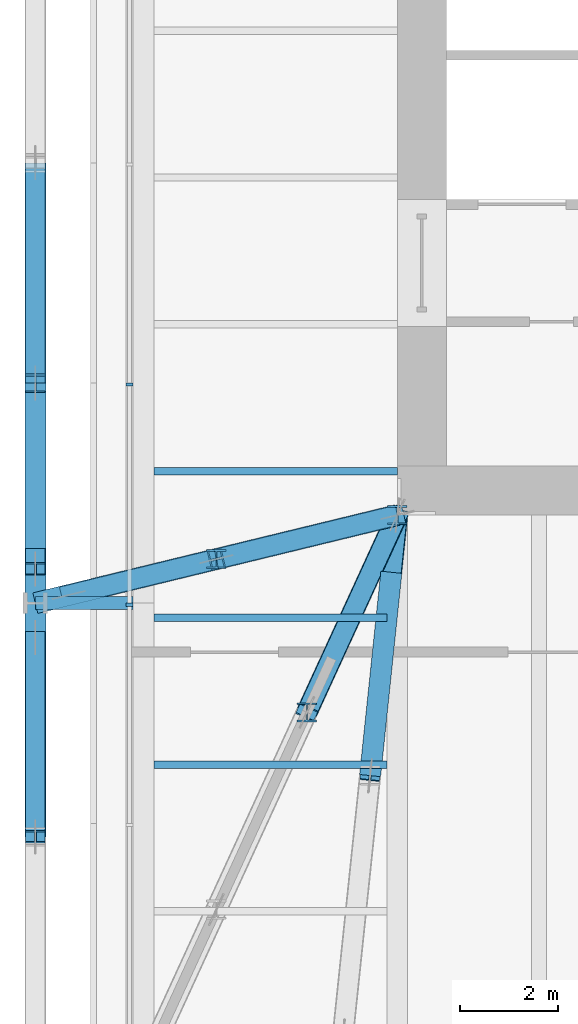
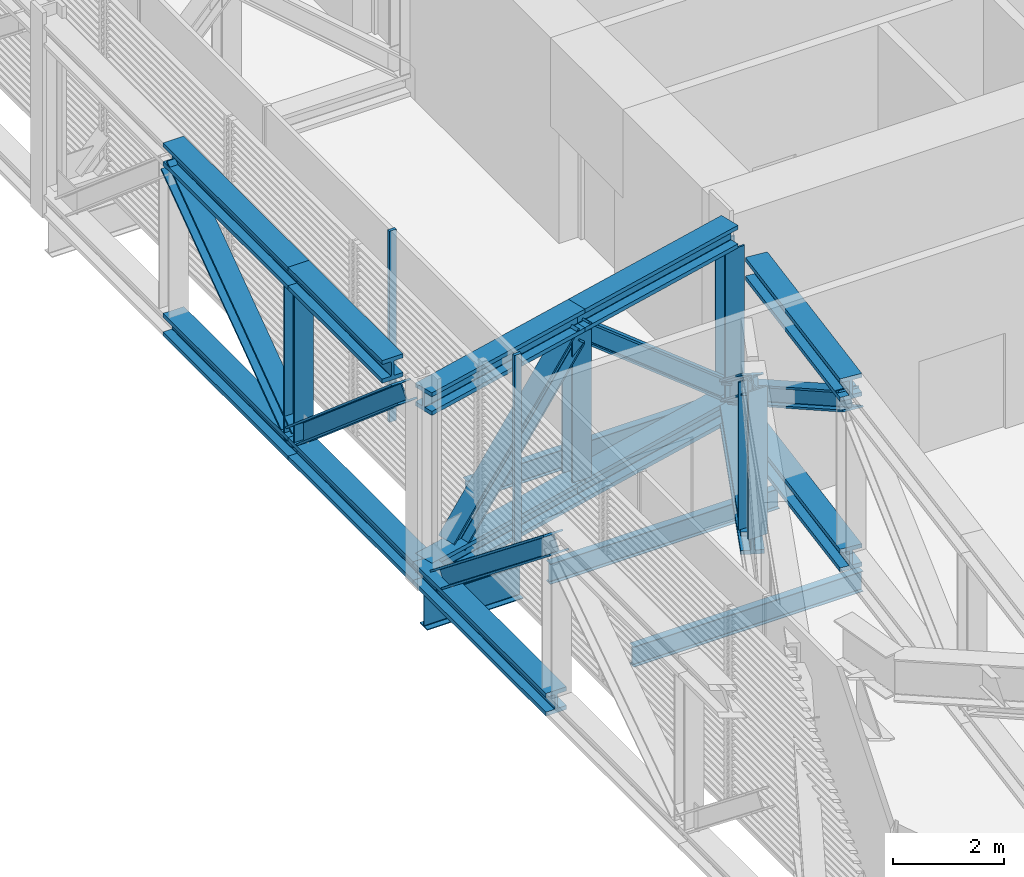
# One storey, part 6 of 31: 16 beams, 13 members, 1 element without a shape of its own.
"""IFC4 building model written with IfcOpenShell, lengths in metres."""

from ifc_helpers import new_model, si_unit, direction, frame, origin, origin_2d, place, context, subcontext, project, spatial, rectangle, i_section, extrude, material, layer, layer_set, material_profile, profile_set, type_object, element, aggregate, save


model = new_model("IFC4")

# Units and contexts
model_context = context("Model", 3, precision=1e-05, world=origin(), true_north=direction((0.0, 1.0)))
body_context = subcontext(model_context, "Body", "Model", "MODEL_VIEW")
ifc_project = project(units=[si_unit("LENGTHUNIT", "METRE"), si_unit("AREAUNIT", "SQUARE_METRE"), si_unit("VOLUMEUNIT", "CUBIC_METRE"), si_unit("PLANEANGLEUNIT", "RADIAN"), si_unit("MASSUNIT", "GRAM", prefix="KILO")], contexts=[model_context])

# Site, building, storey
site_placement = place(None, origin())
site = spatial("IfcSite", under=ifc_project, at=site_placement, CompositionType="ELEMENT")
building_placement = place(site_placement, origin())
building = spatial("IfcBuilding", under=site, at=building_placement, Name="Millrace Tower", CompositionType="ELEMENT")
storey_placement = place(building_placement, frame((0.0, 0.0, 120.39990234375)))
storey = spatial("IfcBuildingStorey", under=building, at=storey_placement, Name="L26", CompositionType="ELEMENT", Elevation=120.39990234375)

# Beams
ifc_material_1 = material(Name="Steel ASTM A992 Grade 50", Category="steel")
ifc_material_profile_1 = material_profile(ifc_material_1, i_section(OverallWidth=0.431884765625, OverallDepth=0.497802734375, WebThickness=0.0556640625, FlangeThickness=0.0888671875, FilletRadius=0.01513671875, at=origin_2d()))
ifc_profile_set_1 = profile_set([ifc_material_profile_1], Name="Steel ASTM A992 Grade 50")
beam_type_1 = type_object("IfcBeamType", Name="Belt truss chord W14x500", PredefinedType="BEAM", material=ifc_profile_set_1)
for number, where, z_axis, x_axis, name in (
    (1, (-22.300048828125, -2.699951171875, 0.2490234375), (0.0, -1.0, 0.0), (1.0, 0.0, 0.0), "BLT-L26-R15-B02"),
    (2, (-22.300048828125, -2.699951171875, 3.9912109375), (0.0, -1.0, 0.0), (1.0, 0.0, 0.0), "BLT-L26-R15-T02"),
    (3, (-22.300048828125, -7.199951171875, 0.2490234375), (0.0, -1.0, 0.0), (1.0, 0.0, 0.0), "BLT-L26-R15-B03"),
):
    element("IfcBeam", number, at=place(storey_placement, frame(where, z_axis=z_axis, x_axis=x_axis)), inside=storey, type_object=beam_type_1, Name=name, PredefinedType="BEAM", context=body_context, shape_type="SweptSolid", body=[
        extrude(i_section(OverallWidth=0.431884765625, OverallDepth=0.497802734375, WebThickness=0.0556640625, FlangeThickness=0.0888671875, FilletRadius=0.01513671875, at=origin_2d()), origin(), (0.0, 0.0, 1.0), 4.5),
    ])
beam_1_placement = place(storey_placement, frame((-22.300048828125, -11.699951171875, 0.2490234375), z_axis=(0.0, -1.0, 0.0), x_axis=(1.0, 0.0, 0.0)))
element("IfcBeam", 4, at=beam_1_placement, inside=storey, type_object=beam_type_1, Name="BLT-L26-R16-B01", PredefinedType="BEAM", context=body_context, shape_type="SweptSolid", body=[
    extrude(i_section(OverallWidth=0.431884765625, OverallDepth=0.497802734375, WebThickness=0.0556640625, FlangeThickness=0.0888671875, FilletRadius=0.01513671875, at=origin_2d()), origin(), (0.0, 0.0, 1.0), 4.776123046875),
])
beam_2_placement = place(storey_placement, frame((-22.300048828125, -7.199951171875, 3.9912109375), z_axis=(0.0, -1.0, 0.0), x_axis=(1.0, 0.0, 0.0)))
element("IfcBeam", 5, at=beam_2_placement, inside=storey, type_object=beam_type_1, Name="BLT-L26-R15-T03", PredefinedType="BEAM", context=body_context, shape_type="SweptSolid", body=[
    extrude(i_section(OverallWidth=0.431884765625, OverallDepth=0.497802734375, WebThickness=0.0556640625, FlangeThickness=0.0888671875, FilletRadius=0.01513671875, at=origin_2d()), origin(), (0.0, 0.0, 1.0), 3.385498046875),
])

# Members
ifc_material_2 = material(Name="Steel ASTM A992 Grade 50", Category="steel")
ifc_material_profile_2 = material_profile(ifc_material_2, i_section(OverallWidth=0.4013671875, OverallDepth=0.398681640625, WebThickness=0.02490234375, FlangeThickness=0.03955078125, FilletRadius=0.01513671875, at=origin_2d()))
ifc_profile_set_2 = profile_set([ifc_material_profile_2], Name="Steel ASTM A992 Grade 50")
member_type_1 = type_object("IfcMemberType", Name="Belt truss diagonal W14x211", PredefinedType="BRACE", material=ifc_profile_set_2)
member_1_placement = place(storey_placement, frame((-22.300048828125, -7.199951171875, 0.498046875), z_axis=(0.0, 0.811180262828, 0.584796187742), x_axis=(-1.0, 0.0, 0.0)))
element("IfcMember", 6, at=member_1_placement, inside=storey, type_object=member_type_1, Name="BLT-L26-R15-D02", PredefinedType="BRACE", context=body_context, shape_type="SweptSolid", body=[
    extrude(i_section(OverallWidth=0.4013671875, OverallDepth=0.398681640625, WebThickness=0.02490234375, FlangeThickness=0.03955078125, FilletRadius=0.01513671875, at=origin_2d()), origin(), (0.0, 0.0, 1.0), 5.54736328125),
])
member_2_placement = place(storey_placement, frame((-22.300048828125, -7.199951171875, 0.498046875), z_axis=(0.0, -0.760545081281, 0.649285129461), x_axis=(1.0, 0.0, 0.0)))
element("IfcMember", 7, at=member_2_placement, inside=storey, type_object=member_type_1, Name="BLT-L26-R15-D03", PredefinedType="BRACE", context=body_context, shape_type="SweptSolid", body=[
    extrude(i_section(OverallWidth=0.4013671875, OverallDepth=0.398681640625, WebThickness=0.02490234375, FlangeThickness=0.03955078125, FilletRadius=0.01513671875, at=origin_2d()), origin(), (0.0, 0.0, 1.0), 4.99658203125),
])
member_3_placement = place(storey_placement, frame((-22.300048828125, -12.39990234375, 0.498046875), z_axis=(0.0, -0.782439131655, 0.62272707124), x_axis=(1.0, 0.0, 0.0)))
element("IfcMember", 8, at=member_3_placement, inside=storey, type_object=member_type_1, Name="BLT-L26-R16-D01", PredefinedType="BRACE", context=body_context, shape_type="SweptSolid", body=[
    extrude(i_section(OverallWidth=0.4013671875, OverallDepth=0.398681640625, WebThickness=0.02490234375, FlangeThickness=0.03955078125, FilletRadius=0.01513671875, at=origin_2d()), origin(), (0.0, 0.0, 1.0), 5.20947265625),
])
ifc_material_3 = material(Name="Steel ASTM A992 Grade 50", Category="steel")
ifc_material_profile_3 = material_profile(ifc_material_3, i_section(OverallWidth=0.398681640625, OverallDepth=0.385986328125, WebThickness=0.02099609375, FlangeThickness=0.033203125, FilletRadius=0.01513671875, at=origin_2d()))
ifc_profile_set_3 = profile_set([ifc_material_profile_3], Name="Steel ASTM A992 Grade 50")
member_type_2 = type_object("IfcMemberType", Name="Belt truss post W14x176", PredefinedType="POST", material=ifc_profile_set_3)
member_4_placement = place(storey_placement, frame((-22.300048828125, -7.199951171875, 0.498046875), z_axis=(0.0, 0.0, 1.0), x_axis=(1.0, 0.0, 0.0)))
element("IfcMember", 9, at=member_4_placement, inside=storey, type_object=member_type_2, Name="BLT-L26-R15-V02", PredefinedType="POST", context=body_context, shape_type="SweptSolid", body=[
    extrude(i_section(OverallWidth=0.398681640625, OverallDepth=0.385986328125, WebThickness=0.02099609375, FlangeThickness=0.033203125, FilletRadius=0.01513671875, at=origin_2d()), origin(), (0.0, 0.0, 1.0), 3.244140625),
])

# Curtain wall, members
ifc_material_4 = material(Name="Aluminium and glass", Category="aluminium")
ifc_layer = layer(ifc_material_4, 0.14990234375)
ifc_layer_set = layer_set([ifc_layer], Name="Aluminium and glass")
curtain_wall_type = type_object("IfcCurtainWallType", Name="CW-5 truss and plant storey louvred infill", PredefinedType="NOTDEFINED", material=ifc_layer_set)
curtain_wall_placement = place(storey_placement, origin())
curtain_wall = element("IfcCurtainWall", 10, at=curtain_wall_placement, inside=storey, type_object=curtain_wall_type, Name="Curtain wall B-F08 L26", PredefinedType="NOTDEFINED")
ifc_material_5 = material(Name="Aluminium", Category="aluminium")
ifc_material_profile_4 = material_profile(ifc_material_5, rectangle(XDim=0.06494140625, YDim=0.14990234375, at=origin_2d()))
ifc_profile_set_4 = profile_set([ifc_material_profile_4], Name="Aluminium")
member_type_3 = type_object("IfcMemberType", Name="CW-5 truss and plant storey louvred infill mullion", PredefinedType="MULLION", material=ifc_profile_set_4)
member_5_placement = place(storey_placement, frame((-20.375, -7.232421875, 0.14013671875), z_axis=(0.0, 0.0, 1.0), x_axis=(0.0, -1.0, 0.0)))
member_5 = element("IfcMember", 11, at=member_5_placement, type_object=member_type_3, Name="CW5 mullion B-F08.6", PredefinedType="MULLION", context=body_context, shape_type="SweptSolid", body=[
    extrude(rectangle(XDim=0.06494140625, YDim=0.14990234375, at=origin_2d()), origin(), (0.0, 0.0, 1.0), 4.199951171875),
])
member_6_placement = place(storey_placement, frame((-20.375, -11.732421875, 0.14013671875), z_axis=(0.0, 0.0, 1.0), x_axis=(0.0, -1.0, 0.0)))
member_6 = element("IfcMember", 12, at=member_6_placement, type_object=member_type_3, Name="CW5 mullion B-F08.7", PredefinedType="MULLION", context=body_context, shape_type="SweptSolid", body=[
    extrude(rectangle(XDim=0.06494140625, YDim=0.14990234375, at=origin_2d()), origin(), (0.0, 0.0, 1.0), 4.199951171875),
])
aggregate(curtain_wall, [member_5, member_6])

# Beams
ifc_material_6 = material(Name="Steel ASTM A992 Grade 50", Category="steel")
ifc_material_profile_5 = material_profile(ifc_material_6, i_section(OverallWidth=0.15234375, OverallDepth=0.449462890625, WebThickness=0.007568359375, FlangeThickness=0.0107421875, FilletRadius=0.01025390625, at=origin_2d()))
ifc_profile_set_5 = profile_set([ifc_material_profile_5], Name="Steel ASTM A992 Grade 50")
beam_type_2 = type_object("IfcBeamType", Name="Floor beam W18x35", PredefinedType="JOIST", material=ifc_profile_set_5)
for number, where, z_axis, x_axis, name in (
    (13, (-19.87841796875, -15.0, -0.474609375), (1.0, 0.0, 0.0), (0.0, 1.0, 0.0), "BM-B-L26-S1-S009"),
    (14, (-19.87841796875, -12.0, -0.474609375), (1.0, 0.0, 0.0), (0.0, 1.0, 0.0), "BM-B-L26-S1-S011"),
):
    element("IfcBeam", number, at=place(storey_placement, frame(where, z_axis=z_axis, x_axis=x_axis)), inside=storey, type_object=beam_type_2, Name=name, PredefinedType="JOIST", context=body_context, shape_type="SweptSolid", body=[
        extrude(i_section(OverallWidth=0.15234375, OverallDepth=0.449462890625, WebThickness=0.007568359375, FlangeThickness=0.0107421875, FilletRadius=0.01025390625, at=origin_2d()), origin(), (0.0, 0.0, 1.0), 4.766357421875),
    ])
beam_3_placement = place(storey_placement, frame((-19.87841796875, -9.0, -0.474609375), z_axis=(1.0, 0.0, 0.0), x_axis=(0.0, 1.0, 0.0)))
element("IfcBeam", 15, at=beam_3_placement, inside=storey, type_object=beam_type_2, Name="BM-B-L26-S1-S014", PredefinedType="JOIST", context=body_context, shape_type="SweptSolid", body=[
    extrude(i_section(OverallWidth=0.15234375, OverallDepth=0.449462890625, WebThickness=0.007568359375, FlangeThickness=0.0107421875, FilletRadius=0.01025390625, at=origin_2d()), origin(), (0.0, 0.0, 1.0), 4.978515625),
])
ifc_material_7 = material(Name="Steel ASTM A992 Grade 50", Category="steel")
ifc_material_profile_6 = material_profile(ifc_material_7, i_section(OverallWidth=0.2666015625, OverallDepth=0.7568359375, WebThickness=0.013916015625, FlangeThickness=0.019287109375, FilletRadius=0.0166015625, at=origin_2d()))
ifc_profile_set_6 = profile_set([ifc_material_profile_6], Name="Steel ASTM A992 Grade 50")
beam_type_3 = type_object("IfcBeamType", Name="Link beam W30x108", PredefinedType="BEAM", material=ifc_profile_set_6)
beam_4_placement = place(storey_placement, frame((-20.300048828125, -11.699951171875, -0.62841796875), z_axis=(-1.0, 0.0, 0.0), x_axis=(0.0, -1.0, 0.0)))
element("IfcBeam", 16, at=beam_4_placement, inside=storey, type_object=beam_type_3, Name="LNK-B-L26-S1-02", PredefinedType="BEAM", context=body_context, shape_type="SweptSolid", body=[
    extrude(i_section(OverallWidth=0.2666015625, OverallDepth=0.7568359375, WebThickness=0.013916015625, FlangeThickness=0.019287109375, FilletRadius=0.0166015625, at=origin_2d()), origin(), (0.0, 0.0, 1.0), 2.0),
])
ifc_material_8 = material(Name="Steel ASTM A992 Grade 50", Category="steel")
ifc_material_profile_7 = material_profile(ifc_material_8, i_section(OverallWidth=0.431884765625, OverallDepth=0.497802734375, WebThickness=0.0556640625, FlangeThickness=0.0888671875, FilletRadius=0.01513671875, at=origin_2d()))
ifc_profile_set_7 = profile_set([ifc_material_profile_7], Name="Steel ASTM A992 Grade 50")
beam_type_4 = type_object("IfcBeamType", Name="Outrigger truss chord W14x500", PredefinedType="BEAM", material=ifc_profile_set_7)
beam_5_placement = place(storey_placement, frame((-14.89990234375, -9.89990234375, 0.2490234375), z_axis=(-0.417026076787, -0.908894521537, 0.0), x_axis=(0.908894521537, -0.417026076787, 0.0)))
element("IfcBeam", 17, at=beam_5_placement, inside=storey, type_object=beam_type_4, Name="BLT-L26-O01-B01", PredefinedType="BEAM", context=body_context, shape_type="SweptSolid", body=[
    extrude(i_section(OverallWidth=0.431884765625, OverallDepth=0.497802734375, WebThickness=0.0556640625, FlangeThickness=0.0888671875, FilletRadius=0.01513671875, at=origin_2d()), origin(), (0.0, 0.0, 1.0), 4.4365234375),
])
beam_6_placement = place(storey_placement, frame((-14.89990234375, -9.89990234375, 0.2490234375), z_axis=(-0.104053394811, -0.994571712361, 0.0), x_axis=(0.994571712361, -0.104053394811, 0.0)))
element("IfcBeam", 18, at=beam_6_placement, inside=storey, type_object=beam_type_4, Name="BLT-L26-O02-B01", PredefinedType="BEAM", context=body_context, shape_type="SweptSolid", body=[
    extrude(i_section(OverallWidth=0.431884765625, OverallDepth=0.497802734375, WebThickness=0.0556640625, FlangeThickness=0.0888671875, FilletRadius=0.01513671875, at=origin_2d()), origin(), (0.0, 0.0, 1.0), 5.354248046875),
])
for number, where, z_axis, x_axis, name in (
    (19, (-14.89990234375, -9.89990234375, 0.2490234375), (-0.971661633926, -0.236376117992, 0.0), (0.236376117992, -0.971661633926, 0.0), "BLT-L26-O16-B01"),
    (20, (-14.89990234375, -9.89990234375, 3.9912109375), (-0.971661633926, -0.236376117992, 0.0), (0.236376117992, -0.971661633926, 0.0), "BLT-L26-O16-T01"),
):
    element("IfcBeam", number, at=place(storey_placement, frame(where, z_axis=z_axis, x_axis=x_axis)), inside=storey, type_object=beam_type_4, Name=name, PredefinedType="BEAM", context=body_context, shape_type="SweptSolid", body=[
        extrude(i_section(OverallWidth=0.431884765625, OverallDepth=0.497802734375, WebThickness=0.0556640625, FlangeThickness=0.0888671875, FilletRadius=0.01513671875, at=origin_2d()), origin(), (0.0, 0.0, 1.0), 3.80810546875),
    ])
for number, where, z_axis, x_axis, name in (
    (21, (-18.60009765625, -10.800048828125, 0.2490234375), (-0.971672776399, -0.23633031038, 0.0), (0.23633031038, -0.971672776399, 0.0), "BLT-L26-O16-B02"),
    (22, (-18.60009765625, -10.800048828125, 3.9912109375), (-0.971672776399, -0.23633031038, 0.0), (0.23633031038, -0.971672776399, 0.0), "BLT-L26-O16-T02"),
):
    element("IfcBeam", number, at=place(storey_placement, frame(where, z_axis=z_axis, x_axis=x_axis)), inside=storey, type_object=beam_type_4, Name=name, PredefinedType="BEAM", context=body_context, shape_type="SweptSolid", body=[
        extrude(i_section(OverallWidth=0.431884765625, OverallDepth=0.497802734375, WebThickness=0.0556640625, FlangeThickness=0.0888671875, FilletRadius=0.01513671875, at=origin_2d()), origin(), (0.0, 0.0, 1.0), 3.807861328125),
    ])
beam_7_placement = place(storey_placement, frame((-15.022216796875, -11.0693359375, 3.9912109375), z_axis=(-0.10406125921, -0.994570889546, 0.0), x_axis=(0.994570889546, -0.10406125921, 0.0)))
element("IfcBeam", 23, at=beam_7_placement, inside=storey, type_object=beam_type_4, Name="BLT-L26-O02-T01", PredefinedType="BEAM", context=body_context, shape_type="SweptSolid", body=[
    extrude(i_section(OverallWidth=0.431884765625, OverallDepth=0.497802734375, WebThickness=0.0556640625, FlangeThickness=0.0888671875, FilletRadius=0.01513671875, at=origin_2d()), origin(), (0.0, 0.0, 1.0), 4.178466796875),
])

# Members
ifc_material_9 = material(Name="Steel ASTM A992 Grade 50", Category="steel")
ifc_material_profile_8 = material_profile(ifc_material_9, i_section(OverallWidth=0.4013671875, OverallDepth=0.398681640625, WebThickness=0.02490234375, FlangeThickness=0.03955078125, FilletRadius=0.01513671875, at=origin_2d()))
ifc_profile_set_8 = profile_set([ifc_material_profile_8], Name="Steel ASTM A992 Grade 50")
member_type_4 = type_object("IfcMemberType", Name="Outrigger truss diagonal W14x211", PredefinedType="BRACE", material=ifc_profile_set_8)
member_7_placement = place(storey_placement, frame((-14.89990234375, -9.89990234375, 0.498046875), z_axis=(-0.336625404351, -0.73366391901, 0.590271624837), x_axis=(0.908894521537, -0.417026076787, 0.0)))
element("IfcMember", 24, at=member_7_placement, inside=storey, type_object=member_type_4, Name="BLT-L26-O01-D01", PredefinedType="BRACE", context=body_context, shape_type="SweptSolid", body=[
    extrude(i_section(OverallWidth=0.4013671875, OverallDepth=0.398681640625, WebThickness=0.02490234375, FlangeThickness=0.03955078125, FilletRadius=0.01513671875, at=origin_2d()), origin(), (0.0, 0.0, 1.0), 5.49609375),
])
member_8_placement = place(storey_placement, frame((-14.89990234375, -9.89990234375, 0.498046875), z_axis=(-0.088992611836, -0.850616498409, 0.518200624925), x_axis=(0.994571712361, -0.104053394811, 0.0)))
element("IfcMember", 25, at=member_8_placement, inside=storey, type_object=member_type_4, Name="BLT-L26-O02-D01", PredefinedType="BRACE", context=body_context, shape_type="SweptSolid", body=[
    extrude(i_section(OverallWidth=0.4013671875, OverallDepth=0.398681640625, WebThickness=0.02490234375, FlangeThickness=0.03955078125, FilletRadius=0.01513671875, at=origin_2d()), origin(), (0.0, 0.0, 1.0), 6.260498046875),
])
member_9_placement = place(storey_placement, frame((-14.89990234375, -9.89990234375, 0.498046875), z_axis=(-0.739652215512, -0.179935188611, 0.648488957491), x_axis=(0.236376117992, -0.971661633926, 0.0)))
element("IfcMember", 26, at=member_9_placement, inside=storey, type_object=member_type_4, Name="BLT-L26-O16-D01", PredefinedType="BRACE", context=body_context, shape_type="SweptSolid", body=[
    extrude(i_section(OverallWidth=0.4013671875, OverallDepth=0.398681640625, WebThickness=0.02490234375, FlangeThickness=0.03955078125, FilletRadius=0.01513671875, at=origin_2d()), origin(), (0.0, 0.0, 1.0), 5.002685546875),
])
member_10_placement = place(storey_placement, frame((-21.619873046875, -11.53466796875, 0.498046875), z_axis=(0.672171495191, 0.16351879934, 0.722112929752), x_axis=(-0.236375633528, 0.971661751781, 0.0)))
element("IfcMember", 27, at=member_10_placement, inside=storey, type_object=member_type_4, Name="BLT-L26-O16-D02", PredefinedType="BRACE", context=body_context, shape_type="SweptSolid", body=[
    extrude(i_section(OverallWidth=0.4013671875, OverallDepth=0.398681640625, WebThickness=0.02490234375, FlangeThickness=0.03955078125, FilletRadius=0.01513671875, at=origin_2d()), origin(), (0.0, 0.0, 1.0), 4.49267578125),
])
ifc_material_10 = material(Name="Steel ASTM A992 Grade 50", Category="steel")
ifc_material_profile_9 = material_profile(ifc_material_10, i_section(OverallWidth=0.398681640625, OverallDepth=0.385986328125, WebThickness=0.02099609375, FlangeThickness=0.033203125, FilletRadius=0.01513671875, at=origin_2d()))
ifc_profile_set_9 = profile_set([ifc_material_profile_9], Name="Steel ASTM A992 Grade 50")
member_type_5 = type_object("IfcMemberType", Name="Outrigger truss post W14x176", PredefinedType="POST", material=ifc_profile_set_9)
for number, where, z_axis, x_axis, name in (
    (28, (-14.89990234375, -9.89990234375, 0.498046875), (0.0, 0.0, 1.0), (1.0, 0.0, 0.0), "BLT-L26-O01-V00"),
    (29, (-16.75, -13.93212890625, 0.498046875), (0.0, 0.0, 1.0), (1.0, 0.0, 0.0), "BLT-L26-O01-V01"),
    (30, (-18.60009765625, -10.800048828125, 0.498046875), (0.0, 0.0, 1.0), (1.0, 0.0, 0.0), "BLT-L26-O16-V01"),
):
    element("IfcMember", number, at=place(storey_placement, frame(where, z_axis=z_axis, x_axis=x_axis)), inside=storey, type_object=member_type_5, Name=name, PredefinedType="POST", context=body_context, shape_type="SweptSolid", body=[
        extrude(i_section(OverallWidth=0.398681640625, OverallDepth=0.385986328125, WebThickness=0.02099609375, FlangeThickness=0.033203125, FilletRadius=0.01513671875, at=origin_2d()), origin(), (0.0, 0.0, 1.0), 3.244140625),
    ])

save(model, "model.ifc")
